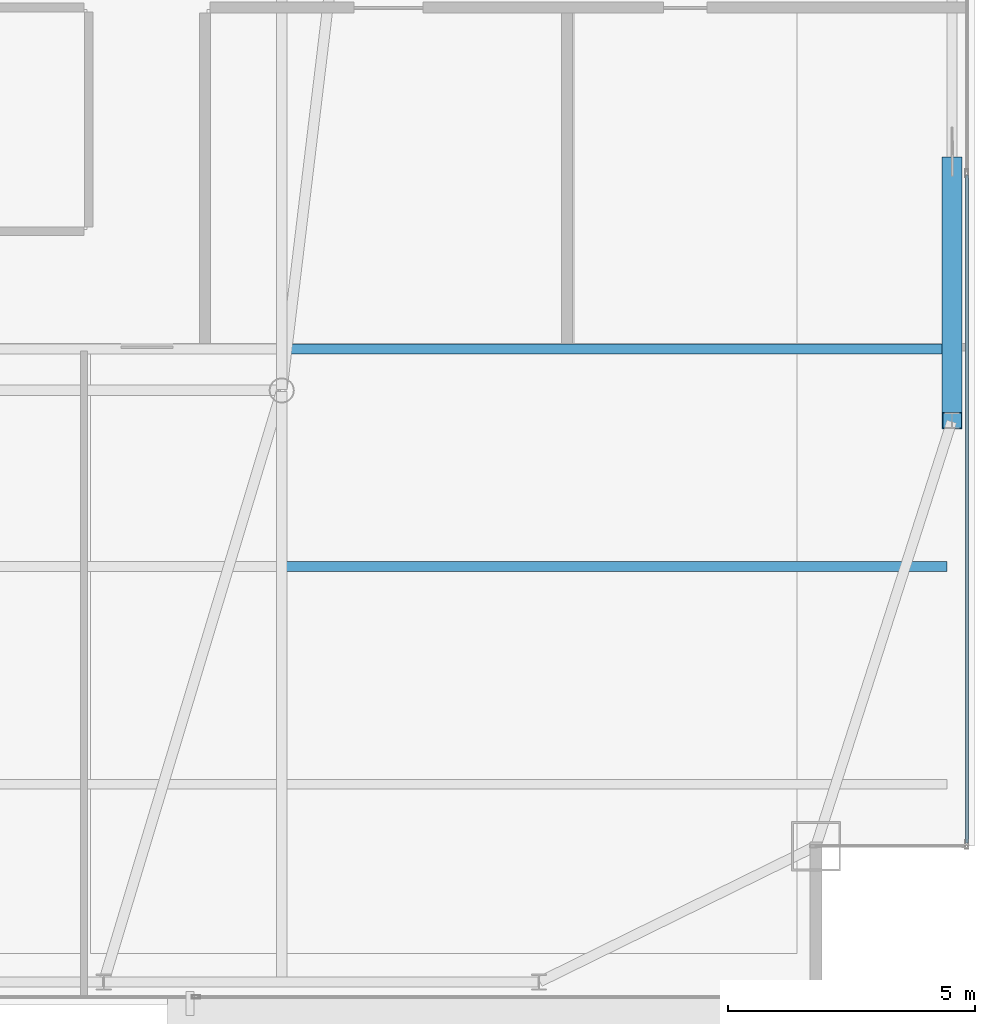
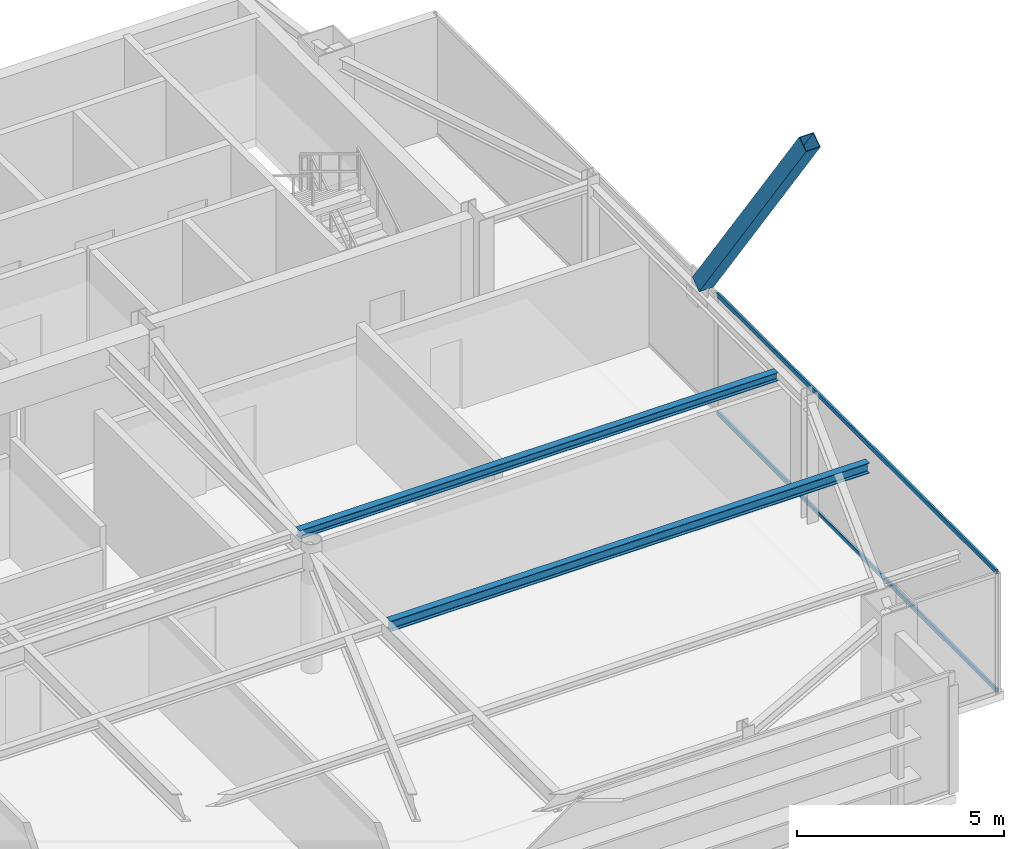
# One storey, part 15 of 24: 3 members, 2 beams, 1 element without a shape of its own.
"""IFC4 building model written with IfcOpenShell, lengths in metres."""

from ifc_helpers import new_model, si_unit, direction, frame, origin, origin_2d, place, context, subcontext, project, spatial, hollow_rectangle, i_section, extrude, source, transform, mapped, material, layer, layer_set, material_profile, profile_set, type_object, type_shapes, element, aggregate, save


model = new_model("IFC4")

# Units and contexts
model_context = context("Model", 3, precision=1e-05, world=origin(), true_north=direction((0.0, 1.0)))
body_context = subcontext(model_context, "Body", "Model", "MODEL_VIEW")
ifc_project = project(units=[si_unit("LENGTHUNIT", "METRE"), si_unit("AREAUNIT", "SQUARE_METRE"), si_unit("VOLUMEUNIT", "CUBIC_METRE"), si_unit("PLANEANGLEUNIT", "RADIAN"), si_unit("MASSUNIT", "GRAM", prefix="KILO")], contexts=[model_context])

# Site, building, storey
site_placement = place(None, origin())
site = spatial("IfcSite", under=ifc_project, at=site_placement, CompositionType="ELEMENT")
building_placement = place(site_placement, origin())
building = spatial("IfcBuilding", under=site, at=building_placement, Name="Varnel Quay Broadcast Tower", CompositionType="ELEMENT")
storey_placement = place(building_placement, frame((0.0, 0.0, 277.39990234375)))
storey = spatial("IfcBuildingStorey", under=building, at=storey_placement, Name="L69", CompositionType="ELEMENT", Elevation=277.39990234375)

# Beams
ifc_material_1 = material(Name="Structural Steel CSA G40.21 350W", Category="steel")
ifc_material_profile_1 = material_profile(ifc_material_1, i_section(OverallWidth=0.201904296875, OverallDepth=0.2470703125, WebThickness=0.00732421875, FlangeThickness=0.010986328125, FilletRadius=0.010986328125, at=origin_2d()), Name="W250X49")
ifc_profile_set_1 = profile_set([ifc_material_profile_1], Name="Structural Steel CSA G40.21 350W")
beam_type_1 = type_object("IfcBeamType", Name="Beam_W250X49", PredefinedType="JOIST", material=ifc_profile_set_1)
shared_shape_1 = source(origin(), body_context, "Body", "SweptSolid", [
    extrude(i_section(OverallWidth=0.201904296875, OverallDepth=0.2470703125, WebThickness=0.00732421875, FlangeThickness=0.010986328125, FilletRadius=0.010986328125, at=origin_2d()), origin(), (0.0, 0.0, 1.0), 13.351318359375),
])
type_shapes(beam_type_1, [shared_shape_1])
beam_1_placement = place(storey_placement, frame((42.10107421875, 26.449951171875, 3.426513671875), z_axis=(1.0, 0.0, 0.0), x_axis=(0.0, 1.0, 0.0)))
element("IfcBeam", 1, at=beam_1_placement, inside=storey, type_object=beam_type_1, Name="L69 East Floor Joist 3", PredefinedType="JOIST", context=body_context, shape_type="MappedRepresentation", body=[
    mapped(shared_shape_1, transform((0.0, 0.0, 0.0), x_axis=(1.0, 0.0, 0.0), y_axis=(0.0, 1.0, 0.0), z_axis=(0.0, 0.0, 1.0), scale=1.0)),
])
ifc_material_profile_2 = material_profile(ifc_material_1, i_section(OverallWidth=0.202880859375, OverallDepth=0.302978515625, WebThickness=0.007568359375, FlangeThickness=0.01318359375, FilletRadius=0.011962890625, at=origin_2d()), Name="W310X60")
ifc_profile_set_2 = profile_set([ifc_material_profile_2], Name="Structural Steel CSA G40.21 350W")
beam_type_2 = type_object("IfcBeamType", Name="Beam_W310X60", PredefinedType="JOIST", material=ifc_profile_set_2)
shared_shape_2 = source(origin(), body_context, "Body", "SweptSolid", [
    extrude(i_section(OverallWidth=0.202880859375, OverallDepth=0.302978515625, WebThickness=0.007568359375, FlangeThickness=0.01318359375, FilletRadius=0.011962890625, at=origin_2d()), origin(), (0.0, 0.0, 1.0), 13.351318359375),
])
type_shapes(beam_type_2, [shared_shape_2])
beam_2_placement = place(storey_placement, frame((42.10107421875, 22.050048828125, 3.398681640625), z_axis=(1.0, 0.0, 0.0), x_axis=(0.0, 1.0, 0.0)))
element("IfcBeam", 2, at=beam_2_placement, inside=storey, type_object=beam_type_2, Name="L69 East Floor Joist 2", PredefinedType="JOIST", context=body_context, shape_type="MappedRepresentation", body=[
    mapped(shared_shape_2, transform((0.0, 0.0, 0.0), x_axis=(1.0, 0.0, 0.0), y_axis=(0.0, 1.0, 0.0), z_axis=(0.0, 0.0, 1.0), scale=1.0)),
])

# Member
ifc_material_profile_3 = material_profile(ifc_material_1, hollow_rectangle(XDim=0.406005859375, YDim=0.406005859375, WallThickness=0.01611328125, at=origin_2d()), Name="HSS406X406X16")
ifc_profile_set_3 = profile_set([ifc_material_profile_3], Name="Structural Steel CSA G40.21 350W")
member_type_1 = type_object("IfcMemberType", Name="Brace_HSS406X406X16", PredefinedType="BRACE", material=ifc_profile_set_3)
shared_shape_3 = source(origin(), body_context, "Body", "SweptSolid", [
    extrude(hollow_rectangle(XDim=0.406005859375, YDim=0.406005859375, WallThickness=0.01611328125, at=origin_2d()), origin(), (0.0, 0.0, 1.0), 8.906982421875),
])
type_shapes(member_type_1, [shared_shape_3])
member_1_placement = place(storey_placement, frame((55.550048828125, 30.160888671875, 3.87060546875), z_axis=(0.0, -0.579416578222, 0.81503155085), x_axis=(1.0, 0.0, 0.0)))
element("IfcMember", 3, at=member_1_placement, inside=storey, type_object=member_type_1, Name="Zone 5 Mega-Brace E-FT2 Split Diag B2", PredefinedType="BRACE", context=body_context, shape_type="MappedRepresentation", body=[
    mapped(shared_shape_3, transform((0.0, 0.0, 0.0), x_axis=(1.0, 0.0, 0.0), y_axis=(0.0, 1.0, 0.0), z_axis=(0.0, 0.0, 1.0), scale=1.0)),
])

# Curtain wall, members
ifc_material_2 = material(Name="Anodised Bronze Aluminium 6063-T6", Category="aluminium")
ifc_layer = layer(ifc_material_2, 0.18994140625, Name="Anodised Bronze Aluminium 6063-T6")
ifc_layer_set = layer_set([ifc_layer], Name="Anodised Bronze Aluminium 6063-T6")
curtain_wall_type = type_object("IfcCurtainWallType", Name="CW_UpperTower", PredefinedType="NOTDEFINED", material=ifc_layer_set)
curtain_wall_placement = place(storey_placement, origin())
curtain_wall = element("IfcCurtainWall", 4, at=curtain_wall_placement, inside=storey, type_object=curtain_wall_type, Name="L69 East Unitised Curtain Wall", PredefinedType="NOTDEFINED")
ifc_material_profile_4 = material_profile(ifc_material_2, hollow_rectangle(XDim=0.06005859375, YDim=0.125, WallThickness=0.0029296875, at=origin_2d()), Name="ALU60X125X3")
ifc_profile_set_4 = profile_set([ifc_material_profile_4], Name="Anodised Bronze Aluminium 6063-T6")
member_type_2 = type_object("IfcMemberType", Name="Tran_CWS-03", PredefinedType="USERDEFINED", material=ifc_profile_set_4)
shared_shape_4 = source(origin(), body_context, "Body", "SweptSolid", [
    extrude(hollow_rectangle(XDim=0.06005859375, YDim=0.125, WallThickness=0.0029296875, at=origin_2d()), origin(), (0.0, 0.0, 1.0), 13.50244140625),
])
type_shapes(member_type_2, [shared_shape_4])
member_2_placement = place(storey_placement, frame((55.85009765625, 16.465087890625, 0.030029296875), z_axis=(0.0, 1.0, 0.0), x_axis=(-1.0, 0.0, 0.0)))
member_2 = element("IfcMember", 5, at=member_2_placement, type_object=member_type_2, Name="CWS-03 transom 1.1", ObjectType="TRANSOM", PredefinedType="USERDEFINED", context=body_context, shape_type="MappedRepresentation", body=[
    mapped(shared_shape_4, transform((0.0, 0.0, 0.0), x_axis=(1.0, 0.0, 0.0), y_axis=(0.0, 1.0, 0.0), z_axis=(0.0, 0.0, 1.0), scale=1.0)),
])
member_3_placement = place(storey_placement, frame((55.85009765625, 16.465087890625, 3.52001953125), z_axis=(0.0, 1.0, 0.0), x_axis=(-1.0, 0.0, 0.0)))
member_3 = element("IfcMember", 6, at=member_3_placement, type_object=member_type_2, Name="CWS-03 transom 1.2", ObjectType="TRANSOM", PredefinedType="USERDEFINED", context=body_context, shape_type="MappedRepresentation", body=[
    mapped(shared_shape_4, transform((0.0, 0.0, 0.0), x_axis=(1.0, 0.0, 0.0), y_axis=(0.0, 1.0, 0.0), z_axis=(0.0, 0.0, 1.0), scale=1.0)),
])
aggregate(curtain_wall, [member_2, member_3])

save(model, "model.ifc")
